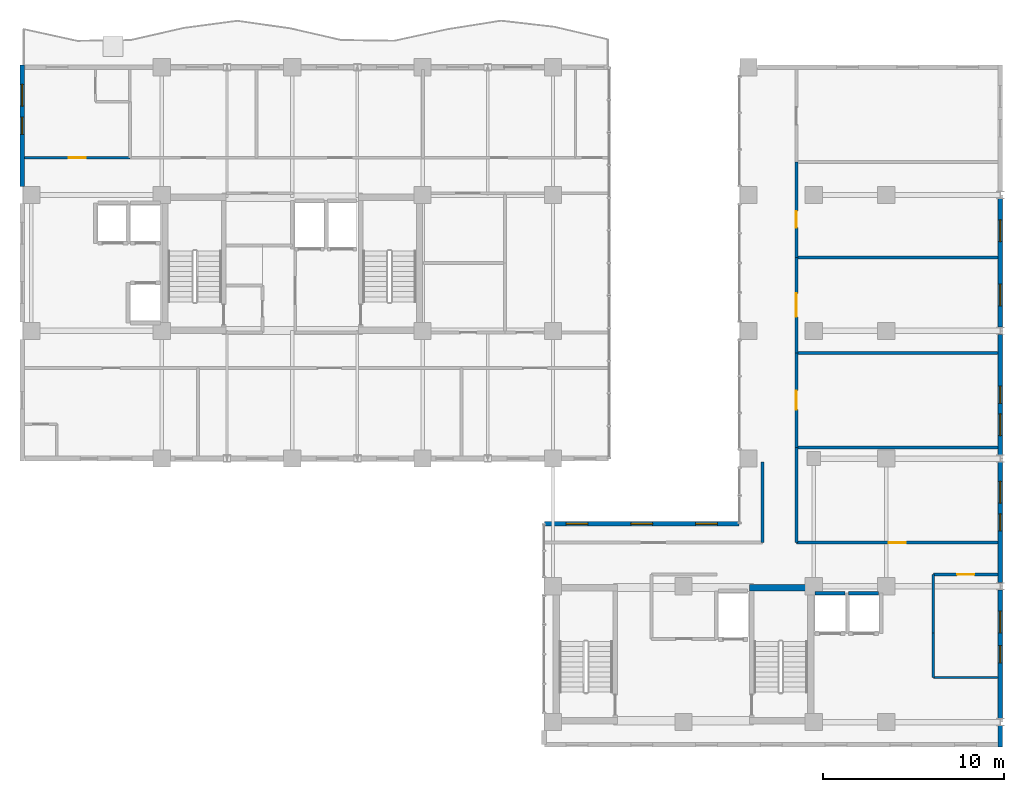
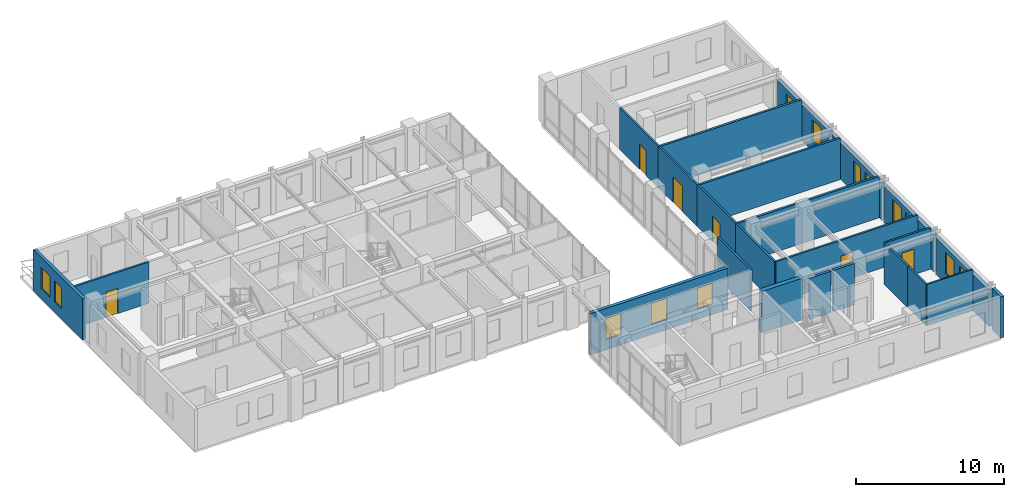
# One storey, part 19 of 24: 24 walls, 13 windows, 6 doors, 19 openings.
"""IFC4 building model written with IfcOpenShell, lengths in metres."""

from ifc_helpers import new_model, si_unit, direction, frame, frame_2d, origin, place, context, subcontext, project, spatial, rectangle, extrude, material, layer, layer_set, type_object, element, fill, save


model = new_model("IFC4")

# Units and contexts
model_context = context("Model", 3, precision=1e-05, world=origin(), true_north=direction((0.0, 1.0)))
body_context = subcontext(model_context, "Body", "Model", "MODEL_VIEW")
ifc_project = project(units=[si_unit("LENGTHUNIT", "METRE"), si_unit("AREAUNIT", "SQUARE_METRE"), si_unit("VOLUMEUNIT", "CUBIC_METRE"), si_unit("PLANEANGLEUNIT", "RADIAN"), si_unit("MASSUNIT", "GRAM", prefix="KILO")], contexts=[model_context])

# Site, building, storey
site_placement = place(None, origin())
site = spatial("IfcSite", under=ifc_project, at=site_placement, CompositionType="ELEMENT")
building_placement = place(site_placement, origin())
building = spatial("IfcBuilding", under=site, at=building_placement, Name="Kaliganga Portal Commons", CompositionType="ELEMENT")
storey_placement = place(building_placement, frame((0.0, 0.0, 238.800048828125)))
storey = spatial("IfcBuildingStorey", under=building, at=storey_placement, Name="L61", CompositionType="ELEMENT", Elevation=238.800048828125)

# Wall
ifc_material_1 = material(Name="Concrete C50/60", Category="concrete")
ifc_layer_1 = layer(ifc_material_1, 0.35009765625)
ifc_layer_set_1 = layer_set([ifc_layer_1], Name="Concrete C50/60")
wall_type_1 = type_object("IfcWallType", Name="WL-CORE-350", PredefinedType="SHEAR", material=ifc_layer_set_1)
wall_1_placement = place(storey_placement, frame((46.85009765625, 14.47509765625, 0.0), z_axis=(0.0, 0.0, 1.0), x_axis=(1.0, 0.0, 0.0)))
element("IfcWall", 1, at=wall_1_placement, inside=storey, type_object=wall_type_1, Name="Core B N-East Shear Wall L61", PredefinedType="SHEAR", context=body_context, shape_type="SweptSolid", body=[
    extrude(rectangle(XDim=3.199951171875, YDim=0.35009765625, at=frame_2d((1.60009765625, 0.0))), origin(), (0.0, 0.0, 1.0), 3.43994140625),
])

# Wall, openings, windows
ifc_material_2 = material(Name="Insulated Aluminium-Clad Spandrel Assembly", Category="aluminium")
ifc_layer_2 = layer(ifc_material_2, 0.260009765625)
ifc_layer_set_2 = layer_set([ifc_layer_2], Name="Insulated Aluminium-Clad Spandrel Assembly")
wall_type_2 = type_object("IfcWallType", Name="WL-EXT-SPAND-260", PredefinedType="STANDARD", material=ifc_layer_set_2)
wall_2_placement = place(storey_placement, frame((6.699951171875, 36.6259765625, 0.0), z_axis=(0.0, 0.0, 1.0), x_axis=(0.0, 1.0, 0.0)))
wall_2 = element("IfcWall", 2, at=wall_2_placement, inside=storey, type_object=wall_type_2, Name="Exterior Envelope Wall L61 P1-E03-S1", PredefinedType="STANDARD", context=body_context, shape_type="SweptSolid", body=[
    extrude(rectangle(XDim=6.7041015625, YDim=0.260009765625, at=frame_2d((3.35205078125, 0.0))), origin(), (0.0, 0.0, 1.0), 3.419921875),
])
opening_1_placement = place(wall_2_placement, frame((4.427978515625, 0.0, 0.85009765625)))
opening_1 = element("IfcOpeningElement", 3, at=opening_1_placement, cuts=wall_2, Name="Opening W-03", PredefinedType="OPENING", context=body_context, shape_type="SweptSolid", body=[
    extrude(rectangle(XDim=1.199951171875, YDim=1.75, at=frame_2d((0.60009765625, 0.875))), frame((0.0, 0.14013671875, 0.0), z_axis=(0.0, -1.0, 0.0), x_axis=(1.0, 0.0, 0.0)), (0.0, 0.0, 1.0), 0.280029296875),
])
opening_2_placement = place(wall_2_placement, frame((2.876953125, 0.0, 0.85009765625)))
opening_2 = element("IfcOpeningElement", 4, at=opening_2_placement, cuts=wall_2, Name="Opening W-04", PredefinedType="OPENING", context=body_context, shape_type="SweptSolid", body=[
    extrude(rectangle(XDim=0.949951171875, YDim=1.75, at=frame_2d((0.47509765625, 0.875))), frame((0.0, 0.14013671875, 0.0), z_axis=(0.0, -1.0, 0.0), x_axis=(1.0, 0.0, 0.0)), (0.0, 0.0, 1.0), 0.280029296875),
])
ifc_material_3 = material(Name="Thermally Broken Aluminium and Low-E Double Glazing", Category="aluminium")
window_type_1 = type_object("IfcWindowType", Name="WIN-NARROW-950", PartitioningType="SINGLE_PANEL", PredefinedType="WINDOW", material=ifc_material_3)
window_1_placement = place(opening_2_placement, origin())
window_1 = element("IfcWindow", 5, at=window_1_placement, inside=storey, type_object=window_type_1, Name="Facade Window L61-P1E03S1-N0", OverallHeight=1.75, OverallWidth=0.949951171875, PartitioningType="SINGLE_PANEL", PredefinedType="WINDOW", context=body_context, shape_type="SweptSolid", body=[
    extrude(rectangle(XDim=0.949951171875, YDim=1.75, at=frame_2d((0.47509765625, 0.875))), frame((0.0, 0.030029296875, 0.0), z_axis=(0.0, -1.0, 0.0), x_axis=(1.0, 0.0, 0.0)), (0.0, 0.0, 1.0), 0.06005859375),
])
fill(opening_2, window_1)
window_type_2 = type_object("IfcWindowType", Name="WIN-STD-1200", PartitioningType="SINGLE_PANEL", PredefinedType="WINDOW", material=ifc_material_3)
window_2_placement = place(opening_1_placement, origin())
window_2 = element("IfcWindow", 6, at=window_2_placement, inside=storey, type_object=window_type_2, Name="Facade Window L61-P1E03S1-01", OverallHeight=1.75, OverallWidth=1.199951171875, PartitioningType="SINGLE_PANEL", PredefinedType="WINDOW", context=body_context, shape_type="SweptSolid", body=[
    extrude(rectangle(XDim=1.199951171875, YDim=1.75, at=frame_2d((0.60009765625, 0.875))), frame((0.0, 0.030029296875, 0.0), z_axis=(0.0, -1.0, 0.0), x_axis=(1.0, 0.0, 0.0)), (0.0, 0.0, 1.0), 0.06005859375),
])
fill(opening_1, window_2)

# Wall
wall_3_placement = place(storey_placement, frame((60.699951171875, 6.84912109375, 0.0), z_axis=(0.0, 0.0, 1.0), x_axis=(0.0, -1.0, 0.0)))
element("IfcWall", 7, at=wall_3_placement, inside=storey, type_object=wall_type_2, Name="Exterior Envelope Wall L61 P2-E01-S1", PredefinedType="STANDARD", context=body_context, shape_type="SweptSolid", body=[
    extrude(rectangle(XDim=1.17919921875, YDim=0.260009765625, at=frame_2d((0.589599609375, 0.0))), origin(), (0.0, 0.0, 1.0), 3.419921875),
])

# Wall, openings, windows
wall_4_placement = place(storey_placement, frame((60.699951171875, 14.34912109375, 0.0), z_axis=(0.0, 0.0, 1.0), x_axis=(0.0, -1.0, 0.0)))
wall_4 = element("IfcWall", 8, at=wall_4_placement, inside=storey, type_object=wall_type_2, Name="Exterior Envelope Wall L61 P2-E01-S2", PredefinedType="STANDARD", context=body_context, shape_type="SweptSolid", body=[
    extrude(rectangle(XDim=7.09814453125, YDim=0.260009765625, at=frame_2d((3.549072265625, 0.0))), origin(), (0.0, 0.0, 1.0), 3.02001953125),
])
opening_3_placement = place(wall_4_placement, frame((1.174560546875, 0.0, 0.85009765625)))
opening_3 = element("IfcOpeningElement", 9, at=opening_3_placement, cuts=wall_4, Name="Opening W-03", PredefinedType="OPENING", context=body_context, shape_type="SweptSolid", body=[
    extrude(rectangle(XDim=1.199951171875, YDim=1.75, at=frame_2d((0.60009765625, 0.875))), frame((0.0, 0.14013671875, 0.0), z_axis=(0.0, -1.0, 0.0), x_axis=(1.0, 0.0, 0.0)), (0.0, 0.0, 1.0), 0.280029296875),
])
opening_4_placement = place(wall_4_placement, frame((3.073974609375, 0.0, 0.85009765625)))
opening_4 = element("IfcOpeningElement", 10, at=opening_4_placement, cuts=wall_4, Name="Opening W-04", PredefinedType="OPENING", context=body_context, shape_type="SweptSolid", body=[
    extrude(rectangle(XDim=0.949951171875, YDim=1.75, at=frame_2d((0.47509765625, 0.875))), frame((0.0, 0.14013671875, 0.0), z_axis=(0.0, -1.0, 0.0), x_axis=(1.0, 0.0, 0.0)), (0.0, 0.0, 1.0), 0.280029296875),
])
window_3_placement = place(opening_4_placement, origin())
window_3 = element("IfcWindow", 11, at=window_3_placement, inside=storey, type_object=window_type_1, Name="Facade Window L61-P2E01S2-N0", OverallHeight=1.75, OverallWidth=0.949951171875, PartitioningType="SINGLE_PANEL", PredefinedType="WINDOW", context=body_context, shape_type="SweptSolid", body=[
    extrude(rectangle(XDim=0.949951171875, YDim=1.75, at=frame_2d((0.47509765625, 0.875))), frame((0.0, 0.030029296875, 0.0), z_axis=(0.0, -1.0, 0.0), x_axis=(1.0, 0.0, 0.0)), (0.0, 0.0, 1.0), 0.06005859375),
])
fill(opening_4, window_3)
window_4_placement = place(opening_3_placement, origin())
window_4 = element("IfcWindow", 12, at=window_4_placement, inside=storey, type_object=window_type_2, Name="Facade Window L61-P2E01S2-00", OverallHeight=1.75, OverallWidth=1.199951171875, PartitioningType="SINGLE_PANEL", PredefinedType="WINDOW", context=body_context, shape_type="SweptSolid", body=[
    extrude(rectangle(XDim=1.199951171875, YDim=1.75, at=frame_2d((0.60009765625, 0.875))), frame((0.0, 0.030029296875, 0.0), z_axis=(0.0, -1.0, 0.0), x_axis=(1.0, 0.0, 0.0)), (0.0, 0.0, 1.0), 0.06005859375),
])
fill(opening_3, window_4)

wall_5_placement = place(storey_placement, frame((60.699951171875, 21.39892578125, 0.0), z_axis=(0.0, 0.0, 1.0), x_axis=(0.0, -1.0, 0.0)))
wall_5 = element("IfcWall", 13, at=wall_5_placement, inside=storey, type_object=wall_type_2, Name="Exterior Envelope Wall L61 P2-E01-S3", PredefinedType="STANDARD", context=body_context, shape_type="SweptSolid", body=[
    extrude(rectangle(XDim=6.64794921875, YDim=0.260009765625, at=frame_2d((3.323974609375, 0.0))), origin(), (0.0, 0.0, 1.0), 3.02001953125),
])
opening_5_placement = place(wall_5_placement, frame((1.06201171875, 0.0, 0.85009765625)))
opening_5 = element("IfcOpeningElement", 14, at=opening_5_placement, cuts=wall_5, Name="Opening W-03", PredefinedType="OPENING", context=body_context, shape_type="SweptSolid", body=[
    extrude(rectangle(XDim=1.199951171875, YDim=1.75, at=frame_2d((0.60009765625, 0.875))), frame((0.0, 0.14013671875, 0.0), z_axis=(0.0, -1.0, 0.0), x_axis=(1.0, 0.0, 0.0)), (0.0, 0.0, 1.0), 0.280029296875),
])
opening_6_placement = place(wall_5_placement, frame((2.84912109375, 0.0, 0.85009765625)))
opening_6 = element("IfcOpeningElement", 15, at=opening_6_placement, cuts=wall_5, Name="Opening W-04", PredefinedType="OPENING", context=body_context, shape_type="SweptSolid", body=[
    extrude(rectangle(XDim=0.949951171875, YDim=1.75, at=frame_2d((0.47509765625, 0.875))), frame((0.0, 0.14013671875, 0.0), z_axis=(0.0, -1.0, 0.0), x_axis=(1.0, 0.0, 0.0)), (0.0, 0.0, 1.0), 0.280029296875),
])
window_5_placement = place(opening_6_placement, origin())
window_5 = element("IfcWindow", 16, at=window_5_placement, inside=storey, type_object=window_type_1, Name="Facade Window L61-P2E01S3-N0", OverallHeight=1.75, OverallWidth=0.949951171875, PartitioningType="SINGLE_PANEL", PredefinedType="WINDOW", context=body_context, shape_type="SweptSolid", body=[
    extrude(rectangle(XDim=0.949951171875, YDim=1.75, at=frame_2d((0.47509765625, 0.875))), frame((0.0, 0.030029296875, 0.0), z_axis=(0.0, -1.0, 0.0), x_axis=(1.0, 0.0, 0.0)), (0.0, 0.0, 1.0), 0.06005859375),
])
fill(opening_6, window_5)
window_6_placement = place(opening_5_placement, origin())
window_6 = element("IfcWindow", 17, at=window_6_placement, inside=storey, type_object=window_type_2, Name="Facade Window L61-P2E01S3-00", OverallHeight=1.75, OverallWidth=1.199951171875, PartitioningType="SINGLE_PANEL", PredefinedType="WINDOW", context=body_context, shape_type="SweptSolid", body=[
    extrude(rectangle(XDim=1.199951171875, YDim=1.75, at=frame_2d((0.60009765625, 0.875))), frame((0.0, 0.030029296875, 0.0), z_axis=(0.0, -1.0, 0.0), x_axis=(1.0, 0.0, 0.0)), (0.0, 0.0, 1.0), 0.06005859375),
])
fill(opening_5, window_6)

wall_6_placement = place(storey_placement, frame((60.699951171875, 28.448974609375, 0.0), z_axis=(0.0, 0.0, 1.0), x_axis=(0.0, -1.0, 0.0)))
wall_6 = element("IfcWall", 18, at=wall_6_placement, inside=storey, type_object=wall_type_2, Name="Exterior Envelope Wall L61 P2-E01-S4", PredefinedType="STANDARD", context=body_context, shape_type="SweptSolid", body=[
    extrude(rectangle(XDim=6.64794921875, YDim=0.260009765625, at=frame_2d((3.323974609375, 0.0))), origin(), (0.0, 0.0, 1.0), 3.02001953125),
])
opening_7_placement = place(wall_6_placement, frame((4.385986328125, 0.0, 0.85009765625)))
opening_7 = element("IfcOpeningElement", 19, at=opening_7_placement, cuts=wall_6, Name="Opening W-03", PredefinedType="OPENING", context=body_context, shape_type="SweptSolid", body=[
    extrude(rectangle(XDim=1.199951171875, YDim=1.75, at=frame_2d((0.60009765625, 0.875))), frame((0.0, 0.14013671875, 0.0), z_axis=(0.0, -1.0, 0.0), x_axis=(1.0, 0.0, 0.0)), (0.0, 0.0, 1.0), 0.280029296875),
])
opening_8_placement = place(wall_6_placement, frame((2.84912109375, 0.0, 0.85009765625)))
opening_8 = element("IfcOpeningElement", 20, at=opening_8_placement, cuts=wall_6, Name="Opening W-04", PredefinedType="OPENING", context=body_context, shape_type="SweptSolid", body=[
    extrude(rectangle(XDim=0.949951171875, YDim=1.75, at=frame_2d((0.47509765625, 0.875))), frame((0.0, 0.14013671875, 0.0), z_axis=(0.0, -1.0, 0.0), x_axis=(1.0, 0.0, 0.0)), (0.0, 0.0, 1.0), 0.280029296875),
])
window_7_placement = place(opening_8_placement, origin())
window_7 = element("IfcWindow", 21, at=window_7_placement, inside=storey, type_object=window_type_1, Name="Facade Window L61-P2E01S4-N0", OverallHeight=1.75, OverallWidth=0.949951171875, PartitioningType="SINGLE_PANEL", PredefinedType="WINDOW", context=body_context, shape_type="SweptSolid", body=[
    extrude(rectangle(XDim=0.949951171875, YDim=1.75, at=frame_2d((0.47509765625, 0.875))), frame((0.0, 0.030029296875, 0.0), z_axis=(0.0, -1.0, 0.0), x_axis=(1.0, 0.0, 0.0)), (0.0, 0.0, 1.0), 0.06005859375),
])
fill(opening_8, window_7)
window_8_placement = place(opening_7_placement, origin())
window_8 = element("IfcWindow", 22, at=window_8_placement, inside=storey, type_object=window_type_2, Name="Facade Window L61-P2E01S4-01", OverallHeight=1.75, OverallWidth=1.199951171875, PartitioningType="SINGLE_PANEL", PredefinedType="WINDOW", context=body_context, shape_type="SweptSolid", body=[
    extrude(rectangle(XDim=1.199951171875, YDim=1.75, at=frame_2d((0.60009765625, 0.875))), frame((0.0, 0.030029296875, 0.0), z_axis=(0.0, -1.0, 0.0), x_axis=(1.0, 0.0, 0.0)), (0.0, 0.0, 1.0), 0.06005859375),
])
fill(opening_7, window_8)

wall_7_placement = place(storey_placement, frame((60.699951171875, 35.948974609375, 0.0), z_axis=(0.0, 0.0, 1.0), x_axis=(0.0, -1.0, 0.0)))
wall_7 = element("IfcWall", 23, at=wall_7_placement, inside=storey, type_object=wall_type_2, Name="Exterior Envelope Wall L61 P2-E01-S5", PredefinedType="STANDARD", context=body_context, shape_type="SweptSolid", body=[
    extrude(rectangle(XDim=7.097900390625, YDim=0.260009765625, at=frame_2d((3.548828125, 0.0))), origin(), (0.0, 0.0, 1.0), 3.02001953125),
])
opening_9_placement = place(wall_7_placement, frame((1.174560546875, 0.0, 0.85009765625)))
opening_9 = element("IfcOpeningElement", 24, at=opening_9_placement, cuts=wall_7, Name="Opening W-03", PredefinedType="OPENING", context=body_context, shape_type="SweptSolid", body=[
    extrude(rectangle(XDim=1.199951171875, YDim=1.75, at=frame_2d((0.60009765625, 0.875))), frame((0.0, 0.14013671875, 0.0), z_axis=(0.0, -1.0, 0.0), x_axis=(1.0, 0.0, 0.0)), (0.0, 0.0, 1.0), 0.280029296875),
])
opening_10_placement = place(wall_7_placement, frame((4.723388671875, 0.0, 0.85009765625)))
opening_10 = element("IfcOpeningElement", 25, at=opening_10_placement, cuts=wall_7, Name="Opening W-03", PredefinedType="OPENING", context=body_context, shape_type="SweptSolid", body=[
    extrude(rectangle(XDim=1.199951171875, YDim=1.75, at=frame_2d((0.60009765625, 0.875))), frame((0.0, 0.14013671875, 0.0), z_axis=(0.0, -1.0, 0.0), x_axis=(1.0, 0.0, 0.0)), (0.0, 0.0, 1.0), 0.280029296875),
])
window_9_placement = place(opening_9_placement, origin())
window_9 = element("IfcWindow", 26, at=window_9_placement, inside=storey, type_object=window_type_2, Name="Facade Window L61-P2E01S5-00", OverallHeight=1.75, OverallWidth=1.199951171875, PartitioningType="SINGLE_PANEL", PredefinedType="WINDOW", context=body_context, shape_type="SweptSolid", body=[
    extrude(rectangle(XDim=1.199951171875, YDim=1.75, at=frame_2d((0.60009765625, 0.875))), frame((0.0, 0.030029296875, 0.0), z_axis=(0.0, -1.0, 0.0), x_axis=(1.0, 0.0, 0.0)), (0.0, 0.0, 1.0), 0.06005859375),
])
fill(opening_9, window_9)
window_10_placement = place(opening_10_placement, origin())
window_10 = element("IfcWindow", 27, at=window_10_placement, inside=storey, type_object=window_type_2, Name="Facade Window L61-P2E01S5-01", OverallHeight=1.75, OverallWidth=1.199951171875, PartitioningType="SINGLE_PANEL", PredefinedType="WINDOW", context=body_context, shape_type="SweptSolid", body=[
    extrude(rectangle(XDim=1.199951171875, YDim=1.75, at=frame_2d((0.60009765625, 0.875))), frame((0.0, 0.030029296875, 0.0), z_axis=(0.0, -1.0, 0.0), x_axis=(1.0, 0.0, 0.0)), (0.0, 0.0, 1.0), 0.06005859375),
])
fill(opening_10, window_10)

wall_8_placement = place(storey_placement, frame((35.537109375, 18.0, 0.0), z_axis=(0.0, 0.0, 1.0), x_axis=(1.0, 0.0, 0.0)))
wall_8 = element("IfcWall", 28, at=wall_8_placement, inside=storey, type_object=wall_type_2, Name="Exterior Envelope Wall L61 P2-E04-S1", PredefinedType="STANDARD", context=body_context, shape_type="SweptSolid", body=[
    extrude(rectangle(XDim=10.725830078125, YDim=0.260009765625, at=frame_2d((5.36279296875, 0.0))), origin(), (0.0, 0.0, 1.0), 3.419921875),
])
opening_11_placement = place(wall_8_placement, frame((1.187744140625, 0.0, 0.85009765625)))
opening_11 = element("IfcOpeningElement", 29, at=opening_11_placement, cuts=wall_8, Name="Opening W-03", PredefinedType="OPENING", context=body_context, shape_type="SweptSolid", body=[
    extrude(rectangle(XDim=1.199951171875, YDim=1.75, at=frame_2d((0.60009765625, 0.875))), frame((0.0, 0.14013671875, 0.0), z_axis=(0.0, -1.0, 0.0), x_axis=(1.0, 0.0, 0.0)), (0.0, 0.0, 1.0), 0.280029296875),
])
opening_12_placement = place(wall_8_placement, frame((4.762939453125, 0.0, 0.85009765625)))
opening_12 = element("IfcOpeningElement", 30, at=opening_12_placement, cuts=wall_8, Name="Opening W-03", PredefinedType="OPENING", context=body_context, shape_type="SweptSolid", body=[
    extrude(rectangle(XDim=1.199951171875, YDim=1.75, at=frame_2d((0.60009765625, 0.875))), frame((0.0, 0.14013671875, 0.0), z_axis=(0.0, -1.0, 0.0), x_axis=(1.0, 0.0, 0.0)), (0.0, 0.0, 1.0), 0.280029296875),
])
opening_13_placement = place(wall_8_placement, frame((8.33837890625, 0.0, 0.85009765625)))
opening_13 = element("IfcOpeningElement", 31, at=opening_13_placement, cuts=wall_8, Name="Opening W-03", PredefinedType="OPENING", context=body_context, shape_type="SweptSolid", body=[
    extrude(rectangle(XDim=1.199951171875, YDim=1.75, at=frame_2d((0.60009765625, 0.875))), frame((0.0, 0.14013671875, 0.0), z_axis=(0.0, -1.0, 0.0), x_axis=(1.0, 0.0, 0.0)), (0.0, 0.0, 1.0), 0.280029296875),
])
window_11_placement = place(opening_11_placement, origin())
window_11 = element("IfcWindow", 32, at=window_11_placement, inside=storey, type_object=window_type_2, Name="Facade Window L61-P2E04S1-00", OverallHeight=1.75, OverallWidth=1.199951171875, PartitioningType="SINGLE_PANEL", PredefinedType="WINDOW", context=body_context, shape_type="SweptSolid", body=[
    extrude(rectangle(XDim=1.199951171875, YDim=1.75, at=frame_2d((0.60009765625, 0.875))), frame((0.0, 0.030029296875, 0.0), z_axis=(0.0, -1.0, 0.0), x_axis=(1.0, 0.0, 0.0)), (0.0, 0.0, 1.0), 0.06005859375),
])
fill(opening_11, window_11)
window_12_placement = place(opening_12_placement, origin())
window_12 = element("IfcWindow", 33, at=window_12_placement, inside=storey, type_object=window_type_2, Name="Facade Window L61-P2E04S1-01", OverallHeight=1.75, OverallWidth=1.199951171875, PartitioningType="SINGLE_PANEL", PredefinedType="WINDOW", context=body_context, shape_type="SweptSolid", body=[
    extrude(rectangle(XDim=1.199951171875, YDim=1.75, at=frame_2d((0.60009765625, 0.875))), frame((0.0, 0.030029296875, 0.0), z_axis=(0.0, -1.0, 0.0), x_axis=(1.0, 0.0, 0.0)), (0.0, 0.0, 1.0), 0.06005859375),
])
fill(opening_12, window_12)
window_13_placement = place(opening_13_placement, origin())
window_13 = element("IfcWindow", 34, at=window_13_placement, inside=storey, type_object=window_type_2, Name="Facade Window L61-P2E04S1-02", OverallHeight=1.75, OverallWidth=1.199951171875, PartitioningType="SINGLE_PANEL", PredefinedType="WINDOW", context=body_context, shape_type="SweptSolid", body=[
    extrude(rectangle(XDim=1.199951171875, YDim=1.75, at=frame_2d((0.60009765625, 0.875))), frame((0.0, 0.030029296875, 0.0), z_axis=(0.0, -1.0, 0.0), x_axis=(1.0, 0.0, 0.0)), (0.0, 0.0, 1.0), 0.06005859375),
])
fill(opening_13, window_13)

# Wall, opening, door
ifc_material_4 = material(Name="Fire-Rated Gypsum Board on Steel Stud", Category="steel")
ifc_layer_3 = layer(ifc_material_4, 0.14990234375)
ifc_layer_set_3 = layer_set([ifc_layer_3], Name="Fire-Rated Gypsum Board on Steel Stud")
wall_type_3 = type_object("IfcWallType", Name="WL-PART-CORR-150", PredefinedType="PARTITIONING", material=ifc_layer_set_3)
wall_9_placement = place(storey_placement, frame((49.43994140625, 16.9599609375, 0.0), z_axis=(0.0, 0.0, 1.0), x_axis=(1.0, 0.0, 0.0)))
wall_9 = element("IfcWall", 35, at=wall_9_placement, inside=storey, type_object=wall_type_3, Name="Interior Partition L61-008", PredefinedType="PARTITIONING", context=body_context, shape_type="SweptSolid", body=[
    extrude(rectangle(XDim=11.128173828125, YDim=0.14990234375, at=frame_2d((5.56396484375, 0.0))), origin(), (0.0, 0.0, 1.0), 3.419921875),
])
opening_14_placement = place(wall_9_placement, frame((5.089111328125, 0.0, 0.0)))
opening_14 = element("IfcOpeningElement", 36, at=opening_14_placement, cuts=wall_9, Name="Opening UD-01", PredefinedType="OPENING", context=body_context, shape_type="SweptSolid", body=[
    extrude(rectangle(XDim=0.949951171875, YDim=2.10009765625, at=frame_2d((0.47509765625, 1.050048828125))), frame((0.0, 0.0849609375, 0.0), z_axis=(0.0, -1.0, 0.0), x_axis=(1.0, 0.0, 0.0)), (0.0, 0.0, 1.0), 0.169921875),
])
ifc_material_5 = material(Name="Solid-Core Timber Acoustic Fire Door", Category="wood")
door_type_1 = type_object("IfcDoorType", Name="DR-UNIT-950", OperationType="NOTDEFINED", PredefinedType="DOOR", material=ifc_material_5)
door_1_placement = place(opening_14_placement, origin())
door_1 = element("IfcDoor", 37, at=door_1_placement, inside=storey, type_object=door_type_1, Name="Interior Door L61-BP01", OperationType="SINGLE_SWING_LEFT", OverallHeight=2.10009765625, OverallWidth=0.949951171875, PredefinedType="DOOR", context=body_context, shape_type="SweptSolid", body=[
    extrude(rectangle(XDim=0.949951171875, YDim=2.10009765625, at=frame_2d((0.47509765625, 1.050048828125))), frame((0.0, 0.02490234375, 0.0), z_axis=(0.0, -1.0, 0.0), x_axis=(1.0, 0.0, 0.0)), (0.0, 0.0, 1.0), 0.050048828125),
])
fill(opening_14, door_1)

wall_10_placement = place(storey_placement, frame((6.83203125, 38.199951171875, 0.0), z_axis=(0.0, 0.0, 1.0), x_axis=(1.0, 0.0, 0.0)))
wall_10 = element("IfcWall", 38, at=wall_10_placement, inside=storey, type_object=wall_type_3, Name="Interior Partition L61-014", PredefinedType="PARTITIONING", context=body_context, shape_type="SweptSolid", body=[
    extrude(rectangle(XDim=5.807861328125, YDim=0.14990234375, at=frame_2d((2.90380859375, 0.0))), origin(), (0.0, 0.0, 1.0), 3.419921875),
])
opening_15_placement = place(wall_10_placement, frame((2.428955078125, 0.0, 0.0)))
opening_15 = element("IfcOpeningElement", 39, at=opening_15_placement, cuts=wall_10, Name="Opening UD-01", PredefinedType="OPENING", context=body_context, shape_type="SweptSolid", body=[
    extrude(rectangle(XDim=0.949951171875, YDim=2.10009765625, at=frame_2d((0.47509765625, 1.050048828125))), frame((0.0, 0.0849609375, 0.0), z_axis=(0.0, -1.0, 0.0), x_axis=(1.0, 0.0, 0.0)), (0.0, 0.0, 1.0), 0.169921875),
])
door_2_placement = place(opening_15_placement, origin())
door_2 = element("IfcDoor", 40, at=door_2_placement, inside=storey, type_object=door_type_1, Name="Interior Door L61-AN01", OperationType="SINGLE_SWING_LEFT", OverallHeight=2.10009765625, OverallWidth=0.949951171875, PredefinedType="DOOR", context=body_context, shape_type="SweptSolid", body=[
    extrude(rectangle(XDim=0.949951171875, YDim=2.10009765625, at=frame_2d((0.47509765625, 1.050048828125))), frame((0.0, 0.02490234375, 0.0), z_axis=(0.0, -1.0, 0.0), x_axis=(1.0, 0.0, 0.0)), (0.0, 0.0, 1.0), 0.050048828125),
])
fill(opening_15, door_2)

wall_11_placement = place(storey_placement, frame((49.43994140625, 27.43994140625, 0.0), z_axis=(0.0, 0.0, 1.0), x_axis=(0.0, 1.0, 0.0)))
wall_11 = element("IfcWall", 41, at=wall_11_placement, inside=storey, type_object=wall_type_3, Name="Interior Partition L61-019", PredefinedType="PARTITIONING", context=body_context, shape_type="SweptSolid", body=[
    extrude(rectangle(XDim=5.260009765625, YDim=0.14990234375, at=frame_2d((2.6298828125, 0.0))), origin(), (0.0, 0.0, 1.0), 3.419921875),
])
opening_16_placement = place(wall_11_placement, frame((1.97998046875, 0.0, 0.0)))
opening_16 = element("IfcOpeningElement", 42, at=opening_16_placement, cuts=wall_11, Name="Opening RD-03", PredefinedType="OPENING", context=body_context, shape_type="SweptSolid", body=[
    extrude(rectangle(XDim=1.300048828125, YDim=2.1201171875, at=frame_2d((0.64990234375, 1.06005859375))), frame((0.0, 0.0849609375, 0.0), z_axis=(0.0, -1.0, 0.0), x_axis=(1.0, 0.0, 0.0)), (0.0, 0.0, 1.0), 0.169921875),
])
ifc_material_6 = material(Name="Glazed Timber Seminar Vision Door", Category="wood")
door_type_2 = type_object("IfcDoorType", Name="DR-STUDY-1300", OperationType="DOUBLE_DOOR_SINGLE_SWING", PredefinedType="DOOR", material=ifc_material_6)
door_3_placement = place(opening_16_placement, origin())
door_3 = element("IfcDoor", 43, at=door_3_placement, inside=storey, type_object=door_type_2, Name="Interior Door L61-BP03", OperationType="DOUBLE_DOOR_SINGLE_SWING", OverallHeight=2.1201171875, OverallWidth=1.300048828125, PredefinedType="DOOR", context=body_context, shape_type="SweptSolid", body=[
    extrude(rectangle(XDim=1.300048828125, YDim=2.1201171875, at=frame_2d((0.64990234375, 1.06005859375))), frame((0.0, 0.02490234375, 0.0), z_axis=(0.0, -1.0, 0.0), x_axis=(1.0, 0.0, 0.0)), (0.0, 0.0, 1.0), 0.050048828125),
])
fill(opening_16, door_3)

wall_12_placement = place(storey_placement, frame((49.43994140625, 32.699951171875, 0.0), z_axis=(0.0, 0.0, 1.0), x_axis=(0.0, 1.0, 0.0)))
wall_12 = element("IfcWall", 44, at=wall_12_placement, inside=storey, type_object=wall_type_3, Name="Interior Partition L61-020", PredefinedType="PARTITIONING", context=body_context, shape_type="SweptSolid", body=[
    extrude(rectangle(XDim=5.260009765625, YDim=0.14990234375, at=frame_2d((2.6298828125, 0.0))), origin(), (0.0, 0.0, 1.0), 3.419921875),
])
opening_17_placement = place(wall_12_placement, frame((1.654052734375, 0.0, 0.0)))
opening_17 = element("IfcOpeningElement", 45, at=opening_17_placement, cuts=wall_12, Name="Opening RD-01", PredefinedType="OPENING", context=body_context, shape_type="SweptSolid", body=[
    extrude(rectangle(XDim=0.89990234375, YDim=2.080078125, at=frame_2d((0.449951171875, 1.0400390625))), frame((0.0, 0.0849609375, 0.0), z_axis=(0.0, -1.0, 0.0), x_axis=(1.0, 0.0, 0.0)), (0.0, 0.0, 1.0), 0.169921875),
])
ifc_material_7 = material(Name="Engineered Timber Flush Door", Category="wood")
door_type_3 = type_object("IfcDoorType", Name="DR-ROOM-900", OperationType="NOTDEFINED", PredefinedType="DOOR", material=ifc_material_7)
door_4_placement = place(opening_17_placement, origin())
door_4 = element("IfcDoor", 46, at=door_4_placement, inside=storey, type_object=door_type_3, Name="Interior Door L61-BP04", OperationType="SINGLE_SWING_RIGHT", OverallHeight=2.080078125, OverallWidth=0.89990234375, PredefinedType="DOOR", context=body_context, shape_type="SweptSolid", body=[
    extrude(rectangle(XDim=0.89990234375, YDim=2.080078125, at=frame_2d((0.449951171875, 1.0400390625))), frame((0.0, 0.02490234375, 0.0), z_axis=(0.0, -1.0, 0.0), x_axis=(1.0, 0.0, 0.0)), (0.0, 0.0, 1.0), 0.050048828125),
])
fill(opening_17, door_4)

wall_13_placement = place(storey_placement, frame((49.43994140625, 22.199951171875, 0.0), z_axis=(0.0, 0.0, 1.0), x_axis=(0.0, 1.0, 0.0)))
wall_13 = element("IfcWall", 47, at=wall_13_placement, inside=storey, type_object=wall_type_3, Name="Interior Partition L61-021", PredefinedType="PARTITIONING", context=body_context, shape_type="SweptSolid", body=[
    extrude(rectangle(XDim=5.239990234375, YDim=0.14990234375, at=frame_2d((2.6201171875, 0.0))), origin(), (0.0, 0.0, 1.0), 3.419921875),
])
opening_18_placement = place(wall_13_placement, frame((2.094970703125, 0.0, 0.0)))
opening_18 = element("IfcOpeningElement", 48, at=opening_18_placement, cuts=wall_13, Name="Opening UD-02", PredefinedType="OPENING", context=body_context, shape_type="SweptSolid", body=[
    extrude(rectangle(XDim=1.050048828125, YDim=2.1201171875, at=frame_2d((0.52490234375, 1.06005859375))), frame((0.0, 0.0849609375, 0.0), z_axis=(0.0, -1.0, 0.0), x_axis=(1.0, 0.0, 0.0)), (0.0, 0.0, 1.0), 0.169921875),
])
ifc_material_8 = material(Name="Accessible Wide-Leaf Acoustic Fire Door", Category="wood")
door_type_4 = type_object("IfcDoorType", Name="DR-ACC-1050", OperationType="NOTDEFINED", PredefinedType="DOOR", material=ifc_material_8)
door_5_placement = place(opening_18_placement, origin())
door_5 = element("IfcDoor", 49, at=door_5_placement, inside=storey, type_object=door_type_4, Name="Interior Door L61-BP02", OperationType="SINGLE_SWING_LEFT", OverallHeight=2.1201171875, OverallWidth=1.050048828125, PredefinedType="DOOR", context=body_context, shape_type="SweptSolid", body=[
    extrude(rectangle(XDim=1.050048828125, YDim=2.1201171875, at=frame_2d((0.52490234375, 1.06005859375))), frame((0.0, 0.02490234375, 0.0), z_axis=(0.0, -1.0, 0.0), x_axis=(1.0, 0.0, 0.0)), (0.0, 0.0, 1.0), 0.050048828125),
])
fill(opening_18, door_5)

# Walls
wall_14_placement = place(storey_placement, frame((49.43994140625, 16.9599609375, 0.0), z_axis=(0.0, 0.0, 1.0), x_axis=(0.0, 1.0, 0.0)))
element("IfcWall", 50, at=wall_14_placement, inside=storey, type_object=wall_type_3, Name="Interior Partition L61-023", PredefinedType="PARTITIONING", context=body_context, shape_type="SweptSolid", body=[
    extrude(rectangle(XDim=5.239990234375, YDim=0.14990234375, at=frame_2d((2.6201171875, 0.0))), origin(), (0.0, 0.0, 1.0), 3.419921875),
])
wall_15_placement = place(storey_placement, frame((47.56005859375, 16.9599609375, 0.0), z_axis=(0.0, 0.0, 1.0), x_axis=(0.0, 1.0, 0.0)))
element("IfcWall", 51, at=wall_15_placement, inside=storey, type_object=wall_type_3, Name="Interior Partition L61-026", PredefinedType="PARTITIONING", context=body_context, shape_type="SweptSolid", body=[
    extrude(rectangle(XDim=4.43994140625, YDim=0.14990234375, at=frame_2d((2.219970703125, 0.0))), origin(), (0.0, 0.0, 1.0), 3.419921875),
])

# Wall, opening, door
wall_16_placement = place(storey_placement, frame((57.0, 15.199951171875, 0.0), z_axis=(0.0, 0.0, 1.0), x_axis=(1.0, 0.0, 0.0)))
wall_16 = element("IfcWall", 52, at=wall_16_placement, inside=storey, type_object=wall_type_3, Name="Interior Partition L61-027", PredefinedType="PARTITIONING", context=body_context, shape_type="SweptSolid", body=[
    extrude(rectangle(XDim=3.568115234375, YDim=0.14990234375, at=frame_2d((1.7841796875, 0.0))), origin(), (0.0, 0.0, 1.0), 3.419921875),
])
opening_19_placement = place(wall_16_placement, frame((1.30908203125, 0.0, 0.0)))
opening_19 = element("IfcOpeningElement", 53, at=opening_19_placement, cuts=wall_16, Name="Opening UD-01", PredefinedType="OPENING", context=body_context, shape_type="SweptSolid", body=[
    extrude(rectangle(XDim=0.949951171875, YDim=2.10009765625, at=frame_2d((0.47509765625, 1.050048828125))), frame((0.0, 0.0849609375, 0.0), z_axis=(0.0, -1.0, 0.0), x_axis=(1.0, 0.0, 0.0)), (0.0, 0.0, 1.0), 0.169921875),
])
door_6_placement = place(opening_19_placement, origin())
door_6 = element("IfcDoor", 54, at=door_6_placement, inside=storey, type_object=door_type_1, Name="Interior Door L61-BPE01", OperationType="SINGLE_SWING_LEFT", OverallHeight=2.10009765625, OverallWidth=0.949951171875, PredefinedType="DOOR", context=body_context, shape_type="SweptSolid", body=[
    extrude(rectangle(XDim=0.949951171875, YDim=2.10009765625, at=frame_2d((0.47509765625, 1.050048828125))), frame((0.0, 0.02490234375, 0.0), z_axis=(0.0, -1.0, 0.0), x_axis=(1.0, 0.0, 0.0)), (0.0, 0.0, 1.0), 0.050048828125),
])
fill(opening_19, door_6)

# Walls
wall_17_placement = place(storey_placement, frame((57.0, 11.9599609375, 0.0), z_axis=(0.0, 0.0, 1.0), x_axis=(0.0, 1.0, 0.0)))
element("IfcWall", 55, at=wall_17_placement, inside=storey, type_object=wall_type_3, Name="Interior Partition L61-032", PredefinedType="PARTITIONING", context=body_context, shape_type="SweptSolid", body=[
    extrude(rectangle(XDim=3.239990234375, YDim=0.14990234375, at=frame_2d((1.6201171875, 0.0))), origin(), (0.0, 0.0, 1.0), 3.419921875),
])
wall_18_placement = place(storey_placement, frame((57.0, 9.5, 0.0), z_axis=(0.0, 0.0, 1.0), x_axis=(0.0, 1.0, 0.0)))
element("IfcWall", 56, at=wall_18_placement, inside=storey, type_object=wall_type_3, Name="Interior Partition L61-034", PredefinedType="PARTITIONING", context=body_context, shape_type="SweptSolid", body=[
    extrude(rectangle(XDim=2.4599609375, YDim=0.14990234375, at=frame_2d((1.22998046875, 0.0))), origin(), (0.0, 0.0, 1.0), 3.419921875),
])
ifc_material_9 = material(Name="Moisture-Resistant Gypsum Partition", Category="gypsum")
ifc_layer_4 = layer(ifc_material_9, 0.114990234375)
ifc_layer_set_4 = layer_set([ifc_layer_4], Name="Moisture-Resistant Gypsum Partition")
wall_type_4 = type_object("IfcWallType", Name="WL-PART-ROOM-115", PredefinedType="PARTITIONING", material=ifc_layer_set_4)
wall_19_placement = place(storey_placement, frame((57.0, 9.5, 0.0), z_axis=(0.0, 0.0, 1.0), x_axis=(1.0, 0.0, 0.0)))
element("IfcWall", 57, at=wall_19_placement, inside=storey, type_object=wall_type_4, Name="Interior Partition L61-053", PredefinedType="PARTITIONING", context=body_context, shape_type="SweptSolid", body=[
    extrude(rectangle(XDim=3.568115234375, YDim=0.114990234375, at=frame_2d((1.7841796875, 0.0))), origin(), (0.0, 0.0, 1.0), 3.419921875),
])
ifc_material_10 = material(Name="Twin-Stud Acoustic Gypsum Partition", Category="gypsum")
ifc_layer_5 = layer(ifc_material_10, 0.1650390625)
ifc_layer_set_5 = layer_set([ifc_layer_5], Name="Twin-Stud Acoustic Gypsum Partition")
wall_type_5 = type_object("IfcWallType", Name="WL-PART-UNIT-165", PredefinedType="PARTITIONING", material=ifc_layer_set_5)
for number, where, z_axis, x_axis, name in (
    (58, (49.43994140625, 22.199951171875, 0.0), (0.0, 0.0, 1.0), (1.0, 0.0, 0.0), "Interior Partition L61-040"),
    (59, (49.43994140625, 27.43994140625, 0.0), (0.0, 0.0, 1.0), (1.0, 0.0, 0.0), "Interior Partition L61-041"),
    (60, (49.43994140625, 32.699951171875, 0.0), (0.0, 0.0, 1.0), (1.0, 0.0, 0.0), "Interior Partition L61-042"),
):
    element("IfcWall", number, at=place(storey_placement, frame(where, z_axis=z_axis, x_axis=x_axis)), inside=storey, type_object=wall_type_5, Name=name, PredefinedType="PARTITIONING", context=body_context, shape_type="SweptSolid", body=[
        extrude(rectangle(XDim=11.128173828125, YDim=0.1650390625, at=frame_2d((5.56396484375, 0.0))), origin(), (0.0, 0.0, 1.0), 3.419921875),
    ])
ifc_material_11 = material(Name="Fire-Rated Shaftwall Masonry Assembly", Category="masonry")
ifc_layer_6 = layer(ifc_material_11, 0.199951171875)
ifc_layer_set_6 = layer_set([ifc_layer_6], Name="Fire-Rated Shaftwall Masonry Assembly")
wall_type_6 = type_object("IfcWallType", Name="WL-SHAFT-200", PredefinedType="PARTITIONING", material=ifc_layer_set_6)
wall_20_placement = place(storey_placement, frame((50.47509765625, 14.1650390625, 0.0), z_axis=(0.0, 0.0, 1.0), x_axis=(1.0, 0.0, 0.0)))
element("IfcWall", 61, at=wall_20_placement, inside=storey, type_object=wall_type_6, Name="Lift PL-B3 Hoistway Shaft Wall L61-N", PredefinedType="PARTITIONING", context=body_context, shape_type="SweptSolid", body=[
    extrude(rectangle(XDim=1.64990234375, YDim=0.199951171875, at=frame_2d((0.824951171875, 0.0))), origin(), (0.0, 0.0, 1.0), 3.419921875),
])
wall_21_placement = place(storey_placement, frame((52.324951171875, 14.1650390625, 0.0), z_axis=(0.0, 0.0, 1.0), x_axis=(1.0, 0.0, 0.0)))
element("IfcWall", 62, at=wall_21_placement, inside=storey, type_object=wall_type_6, Name="Lift PL-B4 Hoistway Shaft Wall L61-N", PredefinedType="PARTITIONING", context=body_context, shape_type="SweptSolid", body=[
    extrude(rectangle(XDim=1.650146484375, YDim=0.199951171875, at=frame_2d((0.8251953125, 0.0))), origin(), (0.0, 0.0, 1.0), 3.419921875),
])

save(model, "model.ifc")
